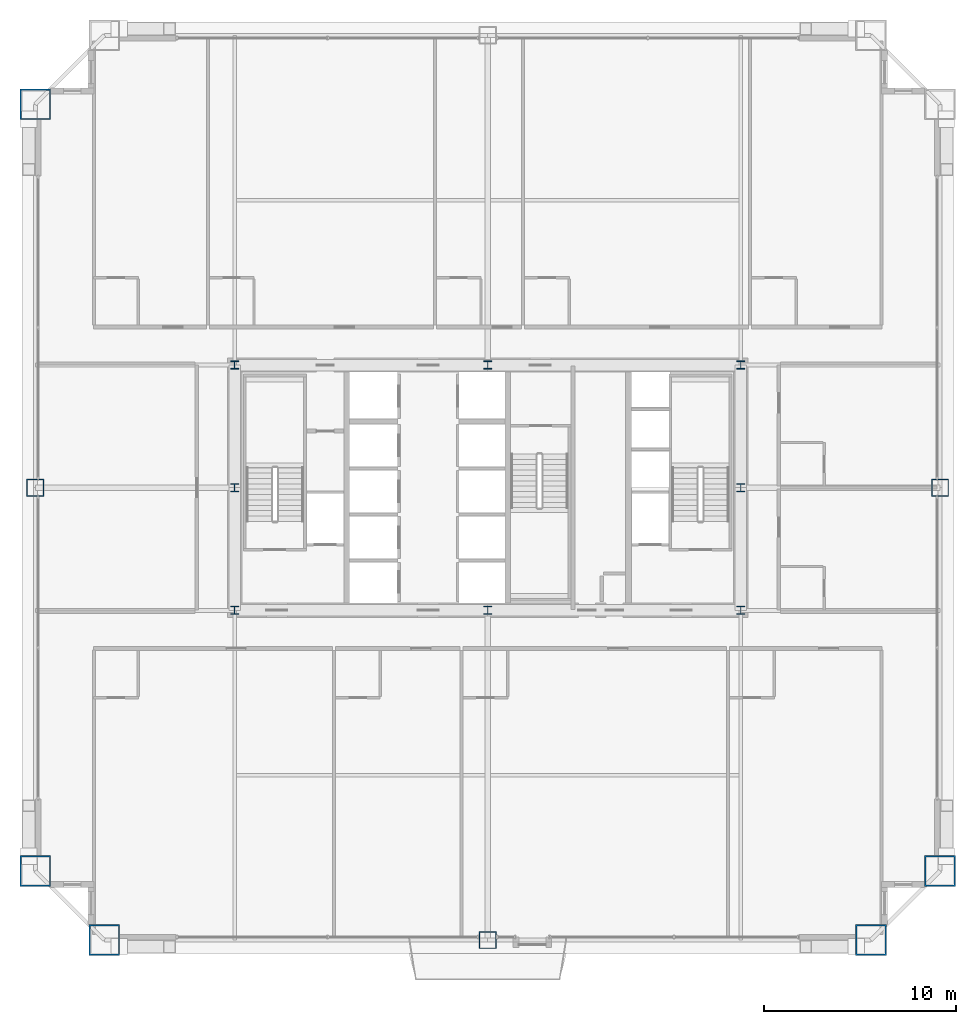
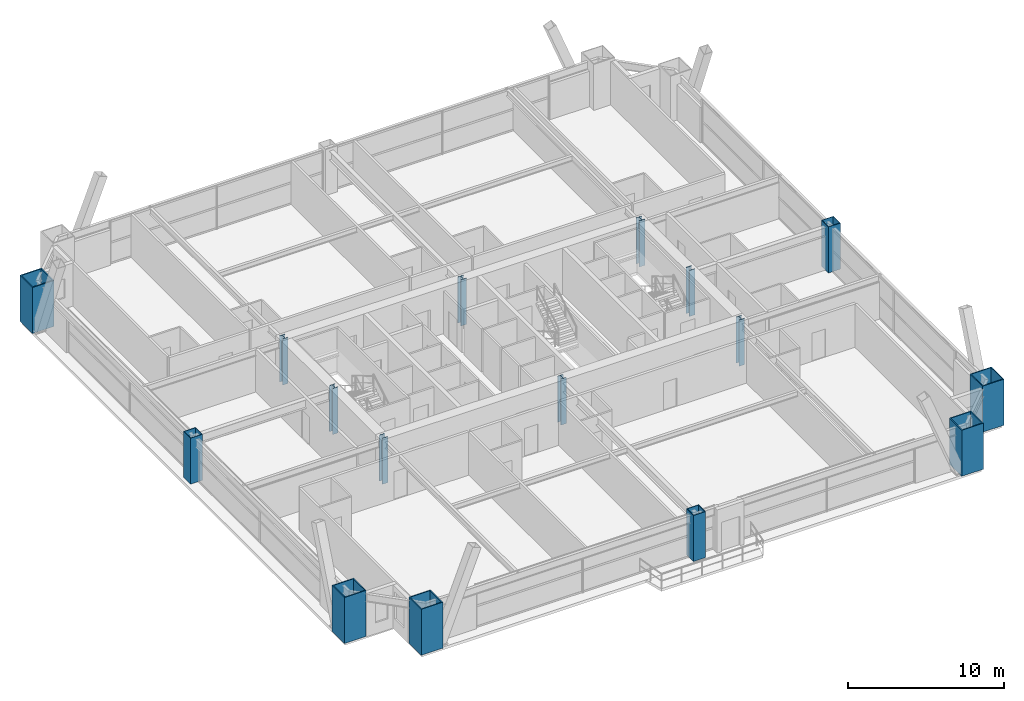
# One storey, part 1 of 41: 16 columns.
"""IFC4 building model written with IfcOpenShell, lengths in metres."""

from ifc_helpers import new_model, si_unit, direction, frame, origin, origin_2d, place, context, subcontext, project, spatial, hollow_rectangle, i_section, extrude, source, transform, mapped, material, material_profile, profile_set, type_object, element, save


model = new_model("IFC4")

# Units and contexts
model_context = context("Model", 3, precision=1e-05, world=origin(), true_north=direction((0.0, 1.0)))
body_context = subcontext(model_context, "Body", "Model", "MODEL_VIEW")
ifc_project = project(units=[si_unit("LENGTHUNIT", "METRE"), si_unit("AREAUNIT", "SQUARE_METRE"), si_unit("VOLUMEUNIT", "CUBIC_METRE"), si_unit("PLANEANGLEUNIT", "RADIAN"), si_unit("MASSUNIT", "GRAM", prefix="KILO"), si_unit("THERMODYNAMICTEMPERATUREUNIT", "KELVIN"), si_unit("POWERUNIT", "WATT")], contexts=[model_context])

# Site, building, storey
site_placement = place(None, origin())
site = spatial("IfcSite", under=ifc_project, at=site_placement, CompositionType="ELEMENT")
building_placement = place(site_placement, origin())
building = spatial("IfcBuilding", under=site, at=building_placement, Name="Yuzanri Waterfront Tower", CompositionType="ELEMENT")
storey_placement = place(building_placement, frame((0.0, 0.0, 122.60009765625)))
storey = spatial("IfcBuildingStorey", under=building, at=storey_placement, Name="L32", CompositionType="ELEMENT", Elevation=122.60009765625)

# Columns
ifc_material_1 = material(Name="Steel Q355B", Category="steel")
ifc_material_profile_1 = material_profile(ifc_material_1, i_section(OverallWidth=0.406982421875, OverallDepth=0.427978515625, WebThickness=0.02001953125, FlangeThickness=0.034912109375, at=origin_2d()), Name="HW 428x407x20x35")
ifc_profile_set_1 = profile_set([ifc_material_profile_1], Name="Steel Q355B")
column_type_1 = type_object("IfcColumnType", Name="Core Post Q355B HW 428x407x20x35", PredefinedType="COLUMN", material=ifc_profile_set_1)
shared_shape_1 = source(origin(), body_context, "Body", "SweptSolid", [
    extrude(i_section(OverallWidth=0.406982421875, OverallDepth=0.427978515625, WebThickness=0.02001953125, FlangeThickness=0.034912109375, at=origin_2d()), origin(), (0.0, 0.0, 1.0), 3.599853515625),
])
for number, where, z_axis, x_axis, name in (
    (1, (23.800048828125, 19.39990234375, 0.0), (0.0, 0.0, 1.0), (1.0, 0.0, 0.0), "L32 Core Boundary Column CP1"),
    (2, (37.0, 19.39990234375, 0.0), (0.0, 0.0, 1.0), (1.0, 0.0, 0.0), "L32 Core Boundary Column CP2"),
    (3, (50.199951171875, 19.39990234375, 0.0), (0.0, 0.0, 1.0), (1.0, 0.0, 0.0), "L32 Core Boundary Column CP3"),
    (4, (23.800048828125, 25.800048828125, 0.0), (0.0, 0.0, 1.0), (1.0, 0.0, 0.0), "L32 Core Boundary Column CP4"),
    (5, (50.199951171875, 25.800048828125, 0.0), (0.0, 0.0, 1.0), (1.0, 0.0, 0.0), "L32 Core Boundary Column CP5"),
    (6, (23.800048828125, 32.199951171875, 0.0), (0.0, 0.0, 1.0), (1.0, 0.0, 0.0), "L32 Core Boundary Column CP6"),
    (7, (37.0, 32.199951171875, 0.0), (0.0, 0.0, 1.0), (1.0, 0.0, 0.0), "L32 Core Boundary Column CP7"),
    (8, (50.199951171875, 32.199951171875, 0.0), (0.0, 0.0, 1.0), (1.0, 0.0, 0.0), "L32 Core Boundary Column CP8"),
):
    element("IfcColumn", number, at=place(storey_placement, frame(where, z_axis=z_axis, x_axis=x_axis)), inside=storey, type_object=column_type_1, Name=name, PredefinedType="COLUMN", context=body_context, shape_type="MappedRepresentation", body=[
        mapped(shared_shape_1, transform((0.0, 0.0, 0.0), scale=1.0)),
    ])
ifc_material_2 = material(Name="Steel Q390GJC", Category="steel")
ifc_material_profile_2 = material_profile(ifc_material_2, hollow_rectangle(XDim=0.89990234375, YDim=0.89990234375, WallThickness=0.0419921875, at=origin_2d()), Name="RHS 900x900x42")
ifc_profile_set_2 = profile_set([ifc_material_profile_2], Name="Steel Q390GJC")
column_type_2 = type_object("IfcColumnType", Name="Frame Column Q390GJC RHS 900x900x42", PredefinedType="COLUMN", material=ifc_profile_set_2)
shared_shape_2 = source(origin(), body_context, "Body", "SweptSolid", [
    extrude(hollow_rectangle(XDim=0.89990234375, YDim=0.89990234375, WallThickness=0.0419921875, at=origin_2d()), origin(), (0.0, 0.0, 1.0), 3.599853515625),
])
for number, where, z_axis, x_axis, name in (
    (9, (37.0, 2.199951171875, 0.0), (0.0, 0.0, 1.0), (1.0, 0.0, 0.0), "L32 Perimeter Frame Column S2"),
    (10, (13.39990234375, 25.800048828125, 0.0), (0.0, 0.0, 1.0), (1.0, 0.0, 0.0), "L32 Perimeter Frame Column W2"),
    (11, (60.60009765625, 25.800048828125, 0.0), (0.0, 0.0, 1.0), (1.0, 0.0, 0.0), "L32 Perimeter Frame Column E2"),
):
    element("IfcColumn", number, at=place(storey_placement, frame(where, z_axis=z_axis, x_axis=x_axis)), inside=storey, type_object=column_type_2, Name=name, PredefinedType="COLUMN", context=body_context, shape_type="MappedRepresentation", body=[
        mapped(shared_shape_2, transform((0.0, 0.0, 0.0), scale=1.0)),
    ])
ifc_material_3 = material(Name="Steel Q420GJC", Category="steel")
ifc_material_profile_3 = material_profile(ifc_material_3, hollow_rectangle(XDim=1.60009765625, YDim=1.60009765625, WallThickness=0.070068359375, at=origin_2d()), Name="RHS 1600x1600x70")
ifc_profile_set_3 = profile_set([ifc_material_profile_3], Name="Steel Q420GJC")
column_type_3 = type_object("IfcColumnType", Name="Mega Column Q420GJC RHS 1600x1600x70", PredefinedType="COLUMN", material=ifc_profile_set_3)
shared_shape_3 = source(origin(), body_context, "Body", "SweptSolid", [
    extrude(hollow_rectangle(XDim=1.60009765625, YDim=1.60009765625, WallThickness=0.070068359375, at=origin_2d()), origin(), (0.0, 0.0, 1.0), 3.599853515625),
])
for number, where, z_axis, x_axis, name in (
    (12, (17.0, 2.199951171875, 0.0), (0.0, 0.0, 1.0), (1.0, 0.0, 0.0), "L32 Perimeter Mega Column S1"),
    (13, (57.0, 2.199951171875, 0.0), (0.0, 0.0, 1.0), (1.0, 0.0, 0.0), "L32 Perimeter Mega Column S3"),
    (14, (13.39990234375, 5.800048828125, 0.0), (0.0, 0.0, 1.0), (1.0, 0.0, 0.0), "L32 Perimeter Mega Column W1"),
    (15, (13.39990234375, 45.800048828125, 0.0), (0.0, 0.0, 1.0), (1.0, 0.0, 0.0), "L32 Perimeter Mega Column W3"),
    (16, (60.60009765625, 5.800048828125, 0.0), (0.0, 0.0, 1.0), (1.0, 0.0, 0.0), "L32 Perimeter Mega Column E1"),
):
    element("IfcColumn", number, at=place(storey_placement, frame(where, z_axis=z_axis, x_axis=x_axis)), inside=storey, type_object=column_type_3, Name=name, PredefinedType="COLUMN", context=body_context, shape_type="MappedRepresentation", body=[
        mapped(shared_shape_3, transform((0.0, 0.0, 0.0), scale=1.0)),
    ])

save(model, "model.ifc")
